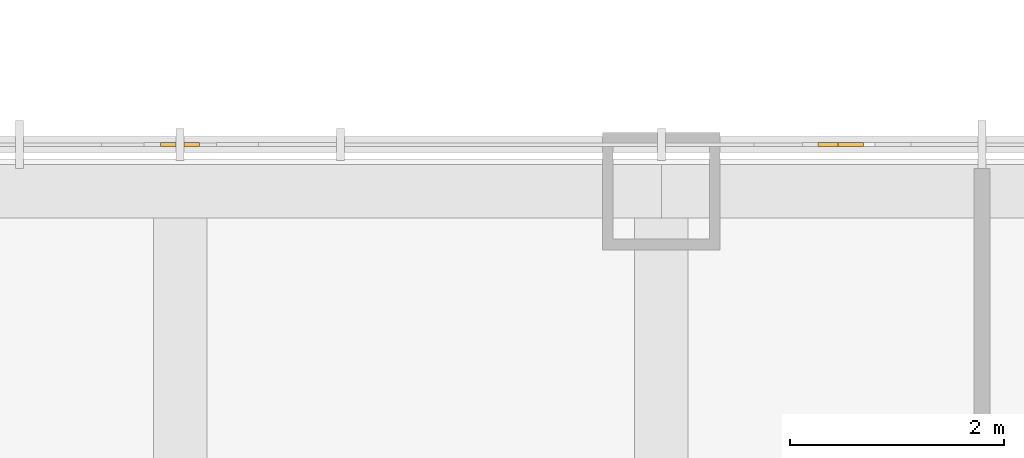
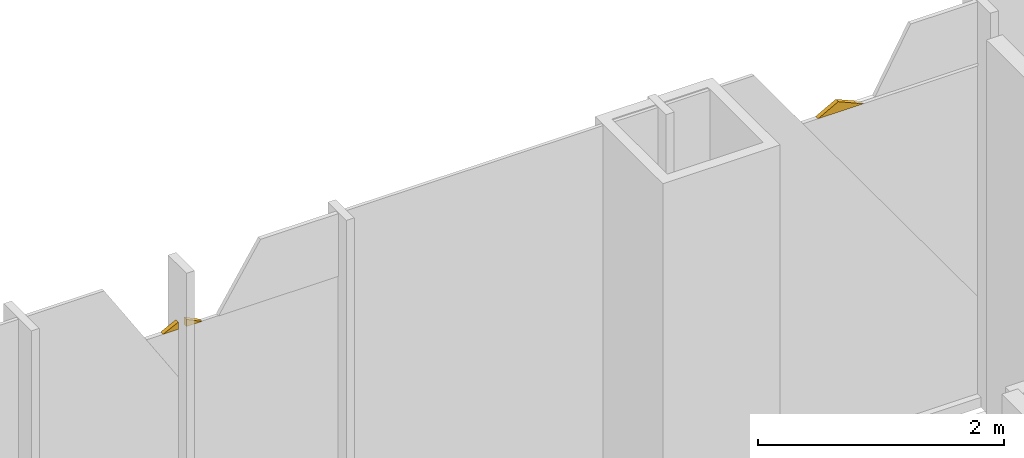
# One storey, part 22 of 23: 3 coverings.
"""IFC4 building model written with IfcOpenShell, lengths in metres."""

from ifc_helpers import new_model, si_unit, direction, frame, origin, place, context, subcontext, project, spatial, polyline, outline, extrude, material, layer, layer_set, type_object, element, save


model = new_model("IFC4")

# Units and contexts
model_context = context("Model", 3, precision=1e-05, world=origin(), true_north=direction((0.0, 1.0)))
body_context = subcontext(model_context, "Body", "Model", "MODEL_VIEW")
ifc_project = project(units=[si_unit("LENGTHUNIT", "METRE"), si_unit("AREAUNIT", "SQUARE_METRE"), si_unit("VOLUMEUNIT", "CUBIC_METRE"), si_unit("PLANEANGLEUNIT", "RADIAN"), si_unit("MASSUNIT", "GRAM", prefix="KILO")], contexts=[model_context])

# Site, building, storey
site_placement = place(None, origin())
site = spatial("IfcSite", under=ifc_project, at=site_placement, CompositionType="ELEMENT")
building_placement = place(site_placement, origin())
building = spatial("IfcBuilding", under=site, at=building_placement, Name="Malebo Sky Hospital", CompositionType="ELEMENT")
storey_placement = place(building_placement, frame((0.0, 0.0, 168.0)))
storey = spatial("IfcBuildingStorey", under=building, at=storey_placement, Name="L40", CompositionType="ELEMENT", Elevation=168.0)

# Coverings
ifc_material = material(Name="Anodised aluminium, natural silver insulated infill panel", Category="aluminium")
ifc_layer = layer(ifc_material, 0.0400390625)
ifc_layer_set = layer_set([ifc_layer], Name="BRACE INFILL PANEL 40")
covering_type = type_object("IfcCoveringType", Name="BRACE INFILL PANEL 40", PredefinedType="CLADDING", material=ifc_layer_set)
covering_1_placement = place(storey_placement, frame((59.889892578125, 86.135009765625, 3.36767578125), z_axis=(0.0, 0.0, 1.0), x_axis=(1.0, 0.0, 0.0)))
element("IfcCovering", 1, at=covering_1_placement, inside=storey, type_object=covering_type, Name="Brace infill panel 9.2", PredefinedType="CLADDING", context=body_context, shape_type="SweptSolid", body=[
    extrude(outline(polyline([(-0.07275390625, 0.0), (0.072509765625, 0.0), (0.072509765625, 0.071533203125), (-0.07275390625, 0.0)])), frame((0.0, 0.02001953125, 0.0), z_axis=(0.0, -1.0, 0.0), x_axis=(1.0, 0.0, 0.0)), (0.0, 0.0, 1.0), 0.0400390625),
])
covering_2_placement = place(storey_placement, frame((60.110107421875, 86.135009765625, 3.36767578125), z_axis=(0.0, 0.0, 1.0), x_axis=(1.0, 0.0, 0.0)))
element("IfcCovering", 2, at=covering_2_placement, inside=storey, type_object=covering_type, Name="Brace infill panel 10.2", PredefinedType="CLADDING", context=body_context, shape_type="SweptSolid", body=[
    extrude(outline(polyline([(-0.072509765625, 0.0), (0.07275390625, 0.0), (-0.072509765625, 0.071533203125), (-0.072509765625, 0.0)])), frame((0.0, 0.02001953125, 0.0), z_axis=(0.0, -1.0, 0.0), x_axis=(1.0, 0.0, 0.0)), (0.0, 0.0, 1.0), 0.0400390625),
])
covering_3_placement = place(storey_placement, frame((66.177001953125, 86.135009765625, 3.3544921875), z_axis=(0.0, 0.0, 1.0), x_axis=(1.0, 0.0, 0.0)))
element("IfcCovering", 3, at=covering_3_placement, inside=storey, type_object=covering_type, Name="Brace infill panel 12.3", PredefinedType="CLADDING", context=body_context, shape_type="SweptSolid", body=[
    extrude(outline(polyline([(-0.212646484375, 0.0), (0.212646484375, 0.0), (-0.023681640625, 0.103515625), (-0.212646484375, 0.0)])), frame((0.0, 0.02001953125, 0.0), z_axis=(0.0, -1.0, 0.0), x_axis=(1.0, 0.0, 0.0)), (0.0, 0.0, 1.0), 0.0400390625),
])

save(model, "model.ifc")
